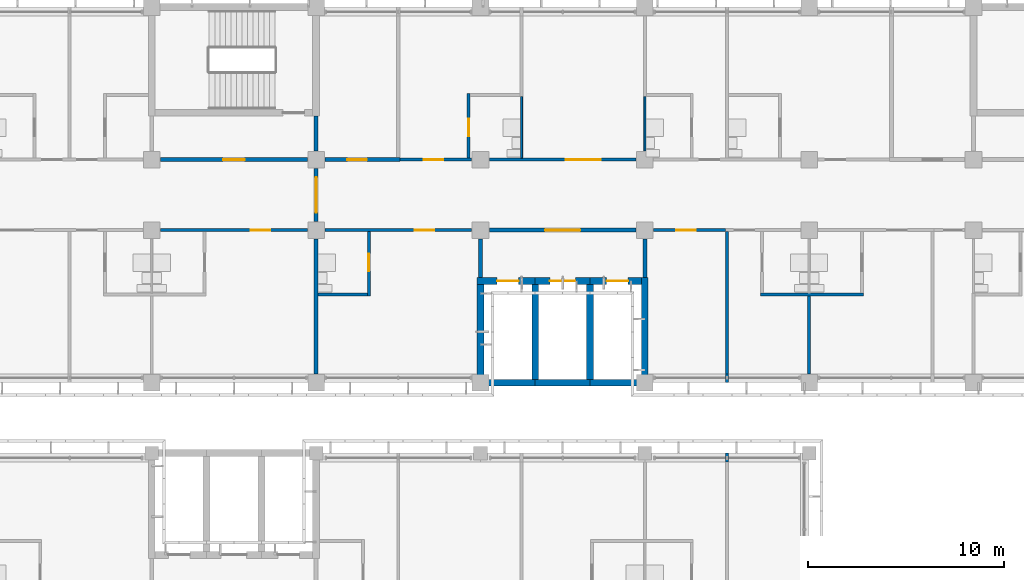
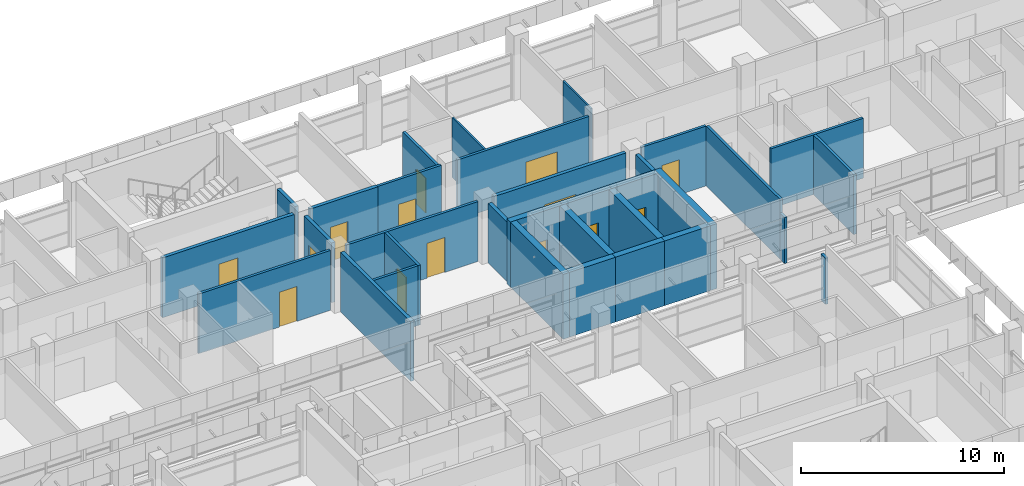
# One storey, part 39 of 74: 33 walls, 14 doors, 14 openings.
"""IFC4 building model written with IfcOpenShell, lengths in metres."""

from ifc_helpers import new_model, si_unit, direction, frame, frame_2d, origin, place, context, subcontext, project, spatial, rectangle, extrude, material, layer, layer_set, type_object, element, fill, save


model = new_model("IFC4")

# Units and contexts
model_context = context("Model", 3, precision=1e-05, world=origin(), true_north=direction((0.0, 1.0)))
body_context = subcontext(model_context, "Body", "Model", "MODEL_VIEW")
ifc_project = project(units=[si_unit("LENGTHUNIT", "METRE"), si_unit("AREAUNIT", "SQUARE_METRE"), si_unit("VOLUMEUNIT", "CUBIC_METRE"), si_unit("PLANEANGLEUNIT", "RADIAN"), si_unit("MASSUNIT", "GRAM", prefix="KILO")], contexts=[model_context])

# Site, building, storey
site_placement = place(None, origin())
site = spatial("IfcSite", under=ifc_project, at=site_placement, CompositionType="ELEMENT")
building_placement = place(site_placement, origin())
building = spatial("IfcBuilding", under=site, at=building_placement, Name="Bougainvillea Quay General Hospital", CompositionType="ELEMENT")
storey_placement = place(building_placement, frame((0.0, 0.0, 21.0)))
storey = spatial("IfcBuildingStorey", under=building, at=storey_placement, Name="L04", CompositionType="ELEMENT", Elevation=21.0)

# Walls
ifc_material_1 = material(Name="Gypsum board partition on steel studs", Category="steel")
ifc_layer_1 = layer(ifc_material_1, 0.10009765625)
ifc_layer_set_1 = layer_set([ifc_layer_1], Name="Gypsum board partition on steel studs")
wall_type_1 = type_object("IfcWallType", Name="Partition 100 Gypsum board partition", PredefinedType="PARTITIONING", material=ifc_layer_set_1)
wall_1_placement = place(storey_placement, frame((153.300048828125, 151.875, 0.0), z_axis=(0.0, 0.0, 1.0), x_axis=(0.0, 1.0, 0.0)))
element("IfcWall", 1, at=wall_1_placement, inside=storey, type_object=wall_type_1, Name="Partition 100 mm", PredefinedType="PARTITIONING", context=body_context, shape_type="SweptSolid", body=[
    extrude(rectangle(XDim=3.14990234375, YDim=0.10009765625, at=frame_2d((1.574951171875, 0.0))), origin(), (0.0, 0.0, 1.0), 3.60009765625),
])
wall_2_placement = place(storey_placement, frame((159.60009765625, 152.25, 0.0), z_axis=(0.0, 0.0, 1.0), x_axis=(0.0, 1.0, 0.0)))
element("IfcWall", 2, at=wall_2_placement, inside=storey, type_object=wall_type_1, Name="Partition 100 mm", PredefinedType="PARTITIONING", context=body_context, shape_type="SweptSolid", body=[
    extrude(rectangle(XDim=2.77490234375, YDim=0.10009765625, at=frame_2d((1.387451171875, 0.0))), origin(), (0.0, 0.0, 1.0), 3.60009765625),
])
ifc_material_2 = material(Name="Gypsum board partition on steel studs, insulated", Category="steel")
ifc_layer_2 = layer(ifc_material_2, 0.14990234375)
ifc_layer_set_2 = layer_set([ifc_layer_2], Name="Gypsum board partition on steel studs, insulated")
wall_type_2 = type_object("IfcWallType", Name="Partition 150 Gypsum board partition", PredefinedType="PARTITIONING", material=ifc_layer_set_2)
wall_3_placement = place(storey_placement, frame((163.800048828125, 136.35009765625, 0.0), z_axis=(0.0, 0.0, 1.0), x_axis=(0.0, 1.0, 0.0)))
element("IfcWall", 3, at=wall_3_placement, inside=storey, type_object=wall_type_2, Name="Partition 150 mm", PredefinedType="PARTITIONING", context=body_context, shape_type="SweptSolid", body=[
    extrude(rectangle(XDim=0.449951171875, YDim=0.14990234375, at=frame_2d((0.22509765625, 0.0))), origin(), (0.0, 0.0, 1.0), 2.780029296875),
])
wall_4_placement = place(storey_placement, frame((163.800048828125, 140.39990234375, 0.0), z_axis=(0.0, 0.0, 1.0), x_axis=(0.0, 1.0, 0.0)))
element("IfcWall", 4, at=wall_4_placement, inside=storey, type_object=wall_type_2, Name="Partition 150 mm", PredefinedType="PARTITIONING", context=body_context, shape_type="SweptSolid", body=[
    extrude(rectangle(XDim=0.4501953125, YDim=0.14990234375, at=frame_2d((0.22509765625, 0.0))), origin(), (0.0, 0.0, 1.0), 2.780029296875),
])
wall_5_placement = place(storey_placement, frame((163.800048828125, 140.85009765625, 0.0), z_axis=(0.0, 0.0, 1.0), x_axis=(0.0, 1.0, 0.0)))
element("IfcWall", 5, at=wall_5_placement, inside=storey, type_object=wall_type_2, Name="Partition 150 mm", PredefinedType="PARTITIONING", context=body_context, shape_type="SweptSolid", body=[
    extrude(rectangle(XDim=7.27490234375, YDim=0.14990234375, at=frame_2d((3.637451171875, 0.0))), origin(), (0.0, 0.0, 1.0), 3.60009765625),
])
wall_6_placement = place(storey_placement, frame((165.52490234375, 144.89990234375, 0.0), z_axis=(0.0, 0.0, 1.0), x_axis=(1.0, 0.0, 0.0)))
element("IfcWall", 6, at=wall_6_placement, inside=storey, type_object=wall_type_2, Name="Partition 150 mm", PredefinedType="PARTITIONING", context=body_context, shape_type="SweptSolid", body=[
    extrude(rectangle(XDim=5.25, YDim=0.14990234375, at=frame_2d((2.625, 0.0))), origin(), (0.0, 0.0, 1.0), 3.60009765625),
])
wall_7_placement = place(storey_placement, frame((168.0, 140.85009765625, 0.0), z_axis=(0.0, 0.0, 1.0), x_axis=(0.0, 1.0, 0.0)))
element("IfcWall", 7, at=wall_7_placement, inside=storey, type_object=wall_type_2, Name="Partition 150 mm", PredefinedType="PARTITIONING", context=body_context, shape_type="SweptSolid", body=[
    extrude(rectangle(XDim=3.974853515625, YDim=0.14990234375, at=frame_2d((1.9873046875, 0.0))), origin(), (0.0, 0.0, 1.0), 3.60009765625),
])

# Wall, opening, door
wall_8_placement = place(storey_placement, frame((145.5, 144.824951171875, 0.0), z_axis=(0.0, 0.0, 1.0), x_axis=(0.0, 1.0, 0.0)))
wall_8 = element("IfcWall", 8, at=wall_8_placement, inside=storey, type_object=wall_type_2, Name="Partition 150 mm", PredefinedType="PARTITIONING", context=body_context, shape_type="SweptSolid", body=[
    extrude(rectangle(XDim=3.300048828125, YDim=0.14990234375, at=frame_2d((1.64990234375, 0.0))), origin(), (0.0, 0.0, 1.0), 3.60009765625),
])
opening_1_placement = place(wall_8_placement, frame((1.27490234375, 0.0, 0.0)))
opening_1 = element("IfcOpeningElement", 9, at=opening_1_placement, cuts=wall_8, Name="Opening L04.050", PredefinedType="OPENING", context=body_context, shape_type="SweptSolid", body=[
    extrude(rectangle(XDim=0.89990234375, YDim=2.10009765625, at=frame_2d((0.449951171875, 1.050048828125))), frame((0.0, 0.0849609375, 0.0), z_axis=(0.0, -1.0, 0.0), x_axis=(1.0, 0.0, 0.0)), (0.0, 0.0, 1.0), 0.169921875),
])
ifc_material_3 = material(Name="Solid-core timber door leaf in steel frame", Category="steel")
door_type_1 = type_object("IfcDoorType", Name="Single leaf door 900x2100", OperationType="NOTDEFINED", PredefinedType="DOOR", material=ifc_material_3)
door_1_placement = place(opening_1_placement, origin())
door_1 = element("IfcDoor", 10, at=door_1_placement, inside=storey, type_object=door_type_1, Name="DT07 L04.050", OperationType="SINGLE_SWING_RIGHT", OverallHeight=2.10009765625, OverallWidth=0.89990234375, PredefinedType="DOOR", context=body_context, shape_type="SweptSolid", body=[
    extrude(rectangle(XDim=0.89990234375, YDim=2.10009765625, at=frame_2d((0.449951171875, 1.050048828125))), frame((0.0, 0.02490234375, 0.0), z_axis=(0.0, -1.0, 0.0), x_axis=(1.0, 0.0, 0.0)), (0.0, 0.0, 1.0), 0.050048828125),
])
fill(opening_1, door_1)

wall_9_placement = place(storey_placement, frame((150.60009765625, 151.875, 0.0), z_axis=(0.0, 0.0, 1.0), x_axis=(0.0, 1.0, 0.0)))
wall_9 = element("IfcWall", 11, at=wall_9_placement, inside=storey, type_object=wall_type_2, Name="Partition 150 mm", PredefinedType="PARTITIONING", context=body_context, shape_type="SweptSolid", body=[
    extrude(rectangle(XDim=3.300048828125, YDim=0.14990234375, at=frame_2d((1.64990234375, 0.0))), origin(), (0.0, 0.0, 1.0), 3.60009765625),
])
opening_2_placement = place(wall_9_placement, frame((1.125, 0.0, 0.0)))
opening_2 = element("IfcOpeningElement", 12, at=opening_2_placement, cuts=wall_9, Name="Opening L04.052", PredefinedType="OPENING", context=body_context, shape_type="SweptSolid", body=[
    extrude(rectangle(XDim=0.89990234375, YDim=2.10009765625, at=frame_2d((0.449951171875, 1.050048828125))), frame((0.0, 0.0849609375, 0.0), z_axis=(0.0, -1.0, 0.0), x_axis=(1.0, 0.0, 0.0)), (0.0, 0.0, 1.0), 0.169921875),
])
door_2_placement = place(opening_2_placement, frame((0.89990234375, 0.0, 0.0), z_axis=(0.0, 0.0, 1.0), x_axis=(-1.0, 0.0, 0.0)))
door_2 = element("IfcDoor", 13, at=door_2_placement, inside=storey, type_object=door_type_1, Name="DT07 L04.052", OperationType="SINGLE_SWING_RIGHT", OverallHeight=2.10009765625, OverallWidth=0.89990234375, PredefinedType="DOOR", context=body_context, shape_type="SweptSolid", body=[
    extrude(rectangle(XDim=0.89990234375, YDim=2.10009765625, at=frame_2d((0.449951171875, 1.050048828125))), frame((0.0, 0.02490234375, 0.0), z_axis=(0.0, -1.0, 0.0), x_axis=(1.0, 0.0, 0.0)), (0.0, 0.0, 1.0), 0.050048828125),
])
fill(opening_2, door_2)

# Wall
wall_10_placement = place(storey_placement, frame((142.89990234375, 144.89990234375, 0.0), z_axis=(0.0, 0.0, 1.0), x_axis=(1.0, 0.0, 0.0)))
element("IfcWall", 14, at=wall_10_placement, inside=storey, type_object=wall_type_2, Name="Partition 150 mm", PredefinedType="PARTITIONING", context=body_context, shape_type="SweptSolid", body=[
    extrude(rectangle(XDim=2.525146484375, YDim=0.14990234375, at=frame_2d((1.2626953125, 0.0))), origin(), (0.0, 0.0, 1.0), 3.60009765625),
])

# Wall, opening, door
ifc_layer_3 = layer(ifc_material_2, 0.14990234375)
ifc_layer_set_3 = layer_set([ifc_layer_3], Name="Gypsum board partition on steel studs, insulated")
wall_type_3 = type_object("IfcWallType", Name="Partition 150 Gypsum board partition EI 30", PredefinedType="PARTITIONING", material=ifc_layer_set_3)
wall_11_placement = place(storey_placement, frame((150.75, 148.199951171875, 0.0), z_axis=(0.0, 0.0, 1.0), x_axis=(-1.0, 0.0, 0.0)))
wall_11 = element("IfcWall", 15, at=wall_11_placement, inside=storey, type_object=wall_type_3, Name="Partition 150 mm EI 30", PredefinedType="PARTITIONING", context=body_context, shape_type="SweptSolid", body=[
    extrude(rectangle(XDim=7.5, YDim=0.14990234375, at=frame_2d((3.75, 0.0))), origin(), (0.0, 0.0, 1.0), 3.60009765625),
])
opening_3_placement = place(wall_11_placement, frame((1.89990234375, 0.0, 0.0)))
opening_3 = element("IfcOpeningElement", 16, at=opening_3_placement, cuts=wall_11, Name="Opening L04.049", PredefinedType="OPENING", context=body_context, shape_type="SweptSolid", body=[
    extrude(rectangle(XDim=1.0, YDim=2.10009765625, at=frame_2d((0.5, 1.050048828125))), frame((0.0, 0.0849609375, 0.0), z_axis=(0.0, -1.0, 0.0), x_axis=(1.0, 0.0, 0.0)), (0.0, 0.0, 1.0), 0.169921875),
])
door_type_2 = type_object("IfcDoorType", Name="Single leaf door 1000x2100 FD30S", OperationType="NOTDEFINED", PredefinedType="DOOR", material=ifc_material_3)
door_3_placement = place(opening_3_placement, origin())
door_3 = element("IfcDoor", 17, at=door_3_placement, inside=storey, type_object=door_type_2, Name="DT15 L04.049", OperationType="SINGLE_SWING_LEFT", OverallHeight=2.10009765625, OverallWidth=1.0, PredefinedType="DOOR", context=body_context, shape_type="SweptSolid", body=[
    extrude(rectangle(XDim=1.0, YDim=2.10009765625, at=frame_2d((0.5, 1.050048828125))), frame((0.0, 0.02490234375, 0.0), z_axis=(0.0, -1.0, 0.0), x_axis=(1.0, 0.0, 0.0)), (0.0, 0.0, 1.0), 0.050048828125),
])
fill(opening_3, door_3)

wall_12_placement = place(storey_placement, frame((142.35009765625, 148.199951171875, 0.0), z_axis=(0.0, 0.0, 1.0), x_axis=(-1.0, 0.0, 0.0)))
wall_12 = element("IfcWall", 18, at=wall_12_placement, inside=storey, type_object=wall_type_3, Name="Partition 150 mm EI 30", PredefinedType="PARTITIONING", context=body_context, shape_type="SweptSolid", body=[
    extrude(rectangle(XDim=7.5, YDim=0.14990234375, at=frame_2d((3.75, 0.0))), origin(), (0.0, 0.0, 1.0), 3.60009765625),
])
opening_4_placement = place(wall_12_placement, frame((1.89990234375, 0.0, 0.0)))
opening_4 = element("IfcOpeningElement", 19, at=opening_4_placement, cuts=wall_12, Name="Opening L04.037", PredefinedType="OPENING", context=body_context, shape_type="SweptSolid", body=[
    extrude(rectangle(XDim=1.0, YDim=2.10009765625, at=frame_2d((0.5, 1.050048828125))), frame((0.0, 0.0849609375, 0.0), z_axis=(0.0, -1.0, 0.0), x_axis=(1.0, 0.0, 0.0)), (0.0, 0.0, 1.0), 0.169921875),
])
door_4_placement = place(opening_4_placement, origin())
door_4 = element("IfcDoor", 20, at=door_4_placement, inside=storey, type_object=door_type_2, Name="DT15 L04.037", OperationType="SINGLE_SWING_LEFT", OverallHeight=2.10009765625, OverallWidth=1.0, PredefinedType="DOOR", context=body_context, shape_type="SweptSolid", body=[
    extrude(rectangle(XDim=1.0, YDim=2.10009765625, at=frame_2d((0.5, 1.050048828125))), frame((0.0, 0.02490234375, 0.0), z_axis=(0.0, -1.0, 0.0), x_axis=(1.0, 0.0, 0.0)), (0.0, 0.0, 1.0), 0.050048828125),
])
fill(opening_4, door_4)

wall_13_placement = place(storey_placement, frame((159.14990234375, 151.800048828125, 0.0), z_axis=(0.0, 0.0, 1.0), x_axis=(-1.0, 0.0, 0.0)))
wall_13 = element("IfcWall", 21, at=wall_13_placement, inside=storey, type_object=wall_type_3, Name="Partition 150 mm EI 30", PredefinedType="PARTITIONING", context=body_context, shape_type="SweptSolid", body=[
    extrude(rectangle(XDim=7.5, YDim=0.14990234375, at=frame_2d((3.75, 0.0))), origin(), (0.0, 0.0, 1.0), 3.60009765625),
])
opening_5_placement = place(wall_13_placement, frame((1.800048828125, 0.0, 0.0)))
opening_5 = element("IfcOpeningElement", 22, at=opening_5_placement, cuts=wall_13, Name="Opening L04.053", PredefinedType="OPENING", context=body_context, shape_type="SweptSolid", body=[
    extrude(rectangle(XDim=1.800048828125, YDim=2.10009765625, at=frame_2d((0.89990234375, 1.050048828125))), frame((0.0, 0.0849609375, 0.0), z_axis=(0.0, -1.0, 0.0), x_axis=(1.0, 0.0, 0.0)), (0.0, 0.0, 1.0), 0.169921875),
])
ifc_material_4 = material(Name="Solid-core timber door leaves in steel frame", Category="steel")
door_type_3 = type_object("IfcDoorType", Name="Double leaf door 1800x2100 FD30S", OperationType="DOUBLE_DOOR_SINGLE_SWING", PredefinedType="DOOR", material=ifc_material_4)
door_5_placement = place(opening_5_placement, frame((1.800048828125, 0.0, 0.0), z_axis=(0.0, 0.0, 1.0), x_axis=(-1.0, 0.0, 0.0)))
door_5 = element("IfcDoor", 23, at=door_5_placement, inside=storey, type_object=door_type_3, Name="DT17 L04.053", OperationType="DOUBLE_DOOR_SINGLE_SWING", OverallHeight=2.10009765625, OverallWidth=1.800048828125, PredefinedType="DOOR", context=body_context, shape_type="SweptSolid", body=[
    extrude(rectangle(XDim=1.800048828125, YDim=2.10009765625, at=frame_2d((0.89990234375, 1.050048828125))), frame((0.0, 0.02490234375, 0.0), z_axis=(0.0, -1.0, 0.0), x_axis=(1.0, 0.0, 0.0)), (0.0, 0.0, 1.0), 0.050048828125),
])
fill(opening_5, door_5)

wall_14_placement = place(storey_placement, frame((150.75, 151.800048828125, 0.0), z_axis=(0.0, 0.0, 1.0), x_axis=(-1.0, 0.0, 0.0)))
wall_14 = element("IfcWall", 24, at=wall_14_placement, inside=storey, type_object=wall_type_3, Name="Partition 150 mm EI 30", PredefinedType="PARTITIONING", context=body_context, shape_type="SweptSolid", body=[
    extrude(rectangle(XDim=3.64990234375, YDim=0.14990234375, at=frame_2d((1.824951171875, 0.0))), origin(), (0.0, 0.0, 1.0), 3.60009765625),
])
opening_6_placement = place(wall_14_placement, frame((1.449951171875, 0.0, 0.0)))
opening_6 = element("IfcOpeningElement", 25, at=opening_6_placement, cuts=wall_14, Name="Opening L04.051", PredefinedType="OPENING", context=body_context, shape_type="SweptSolid", body=[
    extrude(rectangle(XDim=1.0, YDim=2.10009765625, at=frame_2d((0.5, 1.050048828125))), frame((0.0, 0.0849609375, 0.0), z_axis=(0.0, -1.0, 0.0), x_axis=(1.0, 0.0, 0.0)), (0.0, 0.0, 1.0), 0.169921875),
])
door_6_placement = place(opening_6_placement, frame((1.0, 0.0, 0.0), z_axis=(0.0, 0.0, 1.0), x_axis=(-1.0, 0.0, 0.0)))
door_6 = element("IfcDoor", 26, at=door_6_placement, inside=storey, type_object=door_type_2, Name="DT15 L04.051", OperationType="SINGLE_SWING_LEFT", OverallHeight=2.10009765625, OverallWidth=1.0, PredefinedType="DOOR", context=body_context, shape_type="SweptSolid", body=[
    extrude(rectangle(XDim=1.0, YDim=2.10009765625, at=frame_2d((0.5, 1.050048828125))), frame((0.0, 0.02490234375, 0.0), z_axis=(0.0, -1.0, 0.0), x_axis=(1.0, 0.0, 0.0)), (0.0, 0.0, 1.0), 0.050048828125),
])
fill(opening_6, door_6)

ifc_layer_4 = layer(ifc_material_2, 0.14990234375)
ifc_layer_set_4 = layer_set([ifc_layer_4], Name="Gypsum board partition on steel studs, insulated")
wall_type_4 = type_object("IfcWallType", Name="Partition 150 Gypsum board partition EI 60", PredefinedType="PARTITIONING", material=ifc_layer_set_4)
wall_15_placement = place(storey_placement, frame((160.050048828125, 148.199951171875, 0.0), z_axis=(0.0, 0.0, 1.0), x_axis=(1.0, 0.0, 0.0)))
wall_15 = element("IfcWall", 27, at=wall_15_placement, inside=storey, type_object=wall_type_4, Name="Partition 150 mm EI 60", PredefinedType="PARTITIONING", context=body_context, shape_type="SweptSolid", body=[
    extrude(rectangle(XDim=3.675048828125, YDim=0.14990234375, at=frame_2d((1.83740234375, 0.0))), origin(), (0.0, 0.0, 1.0), 3.60009765625),
])
opening_7_placement = place(wall_15_placement, frame((1.14990234375, 0.0, 0.0)))
opening_7 = element("IfcOpeningElement", 28, at=opening_7_placement, cuts=wall_15, Name="Opening L04.058", PredefinedType="OPENING", context=body_context, shape_type="SweptSolid", body=[
    extrude(rectangle(XDim=1.0, YDim=2.10009765625, at=frame_2d((0.5, 1.050048828125))), frame((0.0, 0.0849609375, 0.0), z_axis=(0.0, -1.0, 0.0), x_axis=(1.0, 0.0, 0.0)), (0.0, 0.0, 1.0), 0.169921875),
])
door_type_4 = type_object("IfcDoorType", Name="Single leaf door 1000x2100 FD60", OperationType="NOTDEFINED", PredefinedType="DOOR", material=ifc_material_3)
door_7_placement = place(opening_7_placement, frame((1.0, 0.0, 0.0), z_axis=(0.0, 0.0, 1.0), x_axis=(-1.0, 0.0, 0.0)))
door_7 = element("IfcDoor", 29, at=door_7_placement, inside=storey, type_object=door_type_4, Name="DT14 L04.058", OperationType="SINGLE_SWING_RIGHT", OverallHeight=2.10009765625, OverallWidth=1.0, PredefinedType="DOOR", context=body_context, shape_type="SweptSolid", body=[
    extrude(rectangle(XDim=1.0, YDim=2.10009765625, at=frame_2d((0.5, 1.050048828125))), frame((0.0, 0.02490234375, 0.0), z_axis=(0.0, -1.0, 0.0), x_axis=(1.0, 0.0, 0.0)), (0.0, 0.0, 1.0), 0.050048828125),
])
fill(opening_7, door_7)

# Wall
ifc_material_5 = material(Name="Fire-rated autoclaved aerated block wall, plastered")
ifc_layer_5 = layer(ifc_material_5, 0.199951171875)
ifc_layer_set_5 = layer_set([ifc_layer_5], Name="Fire-rated autoclaved aerated block wall, plastered")
wall_type_5 = type_object("IfcWallType", Name="Partition 200 Fire-rated autoclaved aerated block wall EI 120", PredefinedType="SOLIDWALL", material=ifc_layer_set_5)
wall_16_placement = place(storey_placement, frame((142.800048828125, 154.02490234375, 0.0), z_axis=(0.0, 0.0, 1.0), x_axis=(0.0, -1.0, 0.0)))
element("IfcWall", 30, at=wall_16_placement, inside=storey, type_object=wall_type_5, Name="Partition 200 mm EI 120", PredefinedType="SOLIDWALL", context=body_context, shape_type="SweptSolid", body=[
    extrude(rectangle(XDim=1.77490234375, YDim=0.199951171875, at=frame_2d((0.887451171875, 0.0))), origin(), (0.0, 0.0, 1.0), 3.60009765625),
])

# Wall, opening, door
wall_17_placement = place(storey_placement, frame((142.800048828125, 151.35009765625, 0.0), z_axis=(0.0, 0.0, 1.0), x_axis=(0.0, -1.0, 0.0)))
wall_17 = element("IfcWall", 31, at=wall_17_placement, inside=storey, type_object=wall_type_5, Name="Partition 200 mm EI 120", PredefinedType="SOLIDWALL", context=body_context, shape_type="SweptSolid", body=[
    extrude(rectangle(XDim=2.7001953125, YDim=0.199951171875, at=frame_2d((1.35009765625, 0.0))), origin(), (0.0, 0.0, 1.0), 3.60009765625),
])
opening_8_placement = place(wall_17_placement, frame((0.449951171875, 0.0, 0.0)))
opening_8 = element("IfcOpeningElement", 32, at=opening_8_placement, cuts=wall_17, Name="Opening L04.003", PredefinedType="OPENING", context=body_context, shape_type="SweptSolid", body=[
    extrude(rectangle(XDim=1.800048828125, YDim=2.10009765625, at=frame_2d((0.89990234375, 1.050048828125))), frame((0.0, 0.10986328125, 0.0), z_axis=(0.0, -1.0, 0.0), x_axis=(1.0, 0.0, 0.0)), (0.0, 0.0, 1.0), 0.219970703125),
])
ifc_material_6 = material(Name="Steel fire door leaves in steel frame", Category="steel")
door_type_5 = type_object("IfcDoorType", Name="Steel double leaf door 1800x2100 FD90", OperationType="DOUBLE_DOOR_SINGLE_SWING", PredefinedType="DOOR", material=ifc_material_6)
door_8_placement = place(opening_8_placement, origin())
door_8 = element("IfcDoor", 33, at=door_8_placement, inside=storey, type_object=door_type_5, Name="DT03 L04.003", OperationType="DOUBLE_DOOR_SINGLE_SWING", OverallHeight=2.10009765625, OverallWidth=1.800048828125, PredefinedType="DOOR", context=body_context, shape_type="SweptSolid", body=[
    extrude(rectangle(XDim=1.800048828125, YDim=2.10009765625, at=frame_2d((0.89990234375, 1.050048828125))), frame((0.0, 0.02490234375, 0.0), z_axis=(0.0, -1.0, 0.0), x_axis=(1.0, 0.0, 0.0)), (0.0, 0.0, 1.0), 0.050048828125),
])
fill(opening_8, door_8)

# Wall
wall_18_placement = place(storey_placement, frame((142.800048828125, 147.75, 0.0), z_axis=(0.0, 0.0, 1.0), x_axis=(0.0, -1.0, 0.0)))
element("IfcWall", 34, at=wall_18_placement, inside=storey, type_object=wall_type_5, Name="Partition 200 mm EI 120", PredefinedType="SOLIDWALL", context=body_context, shape_type="SweptSolid", body=[
    extrude(rectangle(XDim=6.89990234375, YDim=0.199951171875, at=frame_2d((3.449951171875, 0.0))), origin(), (0.0, 0.0, 1.0), 3.60009765625),
])

# Wall, opening, door
wall_19_placement = place(storey_placement, frame((134.85009765625, 151.800048828125, 0.0), z_axis=(0.0, 0.0, 1.0), x_axis=(1.0, 0.0, 0.0)))
wall_19 = element("IfcWall", 35, at=wall_19_placement, inside=storey, type_object=wall_type_5, Name="Partition 200 mm EI 120", PredefinedType="SOLIDWALL", context=body_context, shape_type="SweptSolid", body=[
    extrude(rectangle(XDim=7.5, YDim=0.199951171875, at=frame_2d((3.75, 0.0))), origin(), (0.0, 0.0, 1.0), 3.60009765625),
])
opening_9_placement = place(wall_19_placement, frame((3.199951171875, 0.0, 0.0)))
opening_9 = element("IfcOpeningElement", 36, at=opening_9_placement, cuts=wall_19, Name="Opening L04.146", PredefinedType="OPENING", context=body_context, shape_type="SweptSolid", body=[
    extrude(rectangle(XDim=1.10009765625, YDim=2.10009765625, at=frame_2d((0.550048828125, 1.050048828125))), frame((0.0, 0.10986328125, 0.0), z_axis=(0.0, -1.0, 0.0), x_axis=(1.0, 0.0, 0.0)), (0.0, 0.0, 1.0), 0.219970703125),
])
ifc_material_7 = material(Name="Steel fire door leaf in steel frame", Category="steel")
door_type_6 = type_object("IfcDoorType", Name="Steel single leaf door 1100x2100 FD60", OperationType="NOTDEFINED", PredefinedType="DOOR", material=ifc_material_7)
door_9_placement = place(opening_9_placement, origin())
door_9 = element("IfcDoor", 37, at=door_9_placement, inside=storey, type_object=door_type_6, Name="DT04 L04.146", OperationType="SINGLE_SWING_RIGHT", OverallHeight=2.10009765625, OverallWidth=1.10009765625, PredefinedType="DOOR", context=body_context, shape_type="SweptSolid", body=[
    extrude(rectangle(XDim=1.10009765625, YDim=2.10009765625, at=frame_2d((0.550048828125, 1.050048828125))), frame((0.0, 0.02490234375, 0.0), z_axis=(0.0, -1.0, 0.0), x_axis=(1.0, 0.0, 0.0)), (0.0, 0.0, 1.0), 0.050048828125),
])
fill(opening_9, door_9)

wall_20_placement = place(storey_placement, frame((143.25, 151.800048828125, 0.0), z_axis=(0.0, 0.0, 1.0), x_axis=(1.0, 0.0, 0.0)))
wall_20 = element("IfcWall", 38, at=wall_20_placement, inside=storey, type_object=wall_type_5, Name="Partition 200 mm EI 120", PredefinedType="SOLIDWALL", context=body_context, shape_type="SweptSolid", body=[
    extrude(rectangle(XDim=3.85009765625, YDim=0.199951171875, at=frame_2d((1.925048828125, 0.0))), origin(), (0.0, 0.0, 1.0), 3.60009765625),
])
opening_10_placement = place(wall_20_placement, frame((1.14990234375, 0.0, 0.0)))
opening_10 = element("IfcOpeningElement", 39, at=opening_10_placement, cuts=wall_20, Name="Opening L04.071", PredefinedType="OPENING", context=body_context, shape_type="SweptSolid", body=[
    extrude(rectangle(XDim=1.0, YDim=2.10009765625, at=frame_2d((0.5, 1.050048828125))), frame((0.0, 0.10986328125, 0.0), z_axis=(0.0, -1.0, 0.0), x_axis=(1.0, 0.0, 0.0)), (0.0, 0.0, 1.0), 0.219970703125),
])
door_type_7 = type_object("IfcDoorType", Name="Steel single leaf door 1000x2100 FD90", OperationType="NOTDEFINED", PredefinedType="DOOR", material=ifc_material_7)
door_10_placement = place(opening_10_placement, origin())
door_10 = element("IfcDoor", 40, at=door_10_placement, inside=storey, type_object=door_type_7, Name="DT11 L04.071", OperationType="SINGLE_SWING_LEFT", OverallHeight=2.10009765625, OverallWidth=1.0, PredefinedType="DOOR", context=body_context, shape_type="SweptSolid", body=[
    extrude(rectangle(XDim=1.0, YDim=2.10009765625, at=frame_2d((0.5, 1.050048828125))), frame((0.0, 0.02490234375, 0.0), z_axis=(0.0, -1.0, 0.0), x_axis=(1.0, 0.0, 0.0)), (0.0, 0.0, 1.0), 0.050048828125),
])
fill(opening_10, door_10)

wall_21_placement = place(storey_placement, frame((151.64990234375, 148.199951171875, 0.0), z_axis=(0.0, 0.0, 1.0), x_axis=(1.0, 0.0, 0.0)))
wall_21 = element("IfcWall", 41, at=wall_21_placement, inside=storey, type_object=wall_type_5, Name="Partition 200 mm EI 120", PredefinedType="SOLIDWALL", context=body_context, shape_type="SweptSolid", body=[
    extrude(rectangle(XDim=7.5, YDim=0.199951171875, at=frame_2d((3.75, 0.0))), origin(), (0.0, 0.0, 1.0), 3.60009765625),
])
opening_11_placement = place(wall_21_placement, frame((2.85009765625, 0.0, 0.0)))
opening_11 = element("IfcOpeningElement", 42, at=opening_11_placement, cuts=wall_21, Name="Opening L04.074", PredefinedType="OPENING", context=body_context, shape_type="SweptSolid", body=[
    extrude(rectangle(XDim=1.800048828125, YDim=2.10009765625, at=frame_2d((0.89990234375, 1.050048828125))), frame((0.0, 0.10986328125, 0.0), z_axis=(0.0, -1.0, 0.0), x_axis=(1.0, 0.0, 0.0)), (0.0, 0.0, 1.0), 0.219970703125),
])
door_type_8 = type_object("IfcDoorType", Name="Steel double leaf door 1800x2100 FD60", OperationType="DOUBLE_DOOR_SINGLE_SWING", PredefinedType="DOOR", material=ifc_material_6)
door_11_placement = place(opening_11_placement, frame((1.800048828125, 0.0, 0.0), z_axis=(0.0, 0.0, 1.0), x_axis=(-1.0, 0.0, 0.0)))
door_11 = element("IfcDoor", 43, at=door_11_placement, inside=storey, type_object=door_type_8, Name="DT05 L04.074", OperationType="DOUBLE_DOOR_SINGLE_SWING", OverallHeight=2.10009765625, OverallWidth=1.800048828125, PredefinedType="DOOR", context=body_context, shape_type="SweptSolid", body=[
    extrude(rectangle(XDim=1.800048828125, YDim=2.10009765625, at=frame_2d((0.89990234375, 1.050048828125))), frame((0.0, 0.02490234375, 0.0), z_axis=(0.0, -1.0, 0.0), x_axis=(1.0, 0.0, 0.0)), (0.0, 0.0, 1.0), 0.050048828125),
])
fill(opening_11, door_11)

# Walls
for number, where, z_axis, x_axis, name in (
    (44, (151.199951171875, 145.77490234375, 0.0), (0.0, 0.0, 1.0), (0.0, 1.0, 0.0), "Partition 200 mm EI 120"),
    (45, (159.60009765625, 145.77490234375, 0.0), (0.0, 0.0, 1.0), (0.0, 1.0, 0.0), "Partition 200 mm EI 120"),
):
    element("IfcWall", number, at=place(storey_placement, frame(where, z_axis=z_axis, x_axis=x_axis)), inside=storey, type_object=wall_type_5, Name=name, PredefinedType="SOLIDWALL", context=body_context, shape_type="SweptSolid", body=[
        extrude(rectangle(XDim=1.97509765625, YDim=0.199951171875, at=frame_2d((0.987548828125, 0.0))), origin(), (0.0, 0.0, 1.0), 3.60009765625),
    ])

# Wall, opening, door
ifc_material_8 = material(Name="Concrete C40", Category="concrete")
ifc_layer_6 = layer(ifc_material_8, 0.35009765625)
ifc_layer_set_6 = layer_set([ifc_layer_6], Name="Concrete C40")
wall_type_6 = type_object("IfcWallType", Name="RC SHEAR WALL 350 C40", PredefinedType="SHEAR", material=ifc_layer_set_6)
wall_22_placement = place(storey_placement, frame((151.02490234375, 145.60009765625, 0.0), z_axis=(0.0, 0.0, 1.0), x_axis=(1.0, 0.0, 0.0)))
wall_22 = element("IfcWall", 46, at=wall_22_placement, inside=storey, type_object=wall_type_6, Name="Shear wall L04", PredefinedType="SHEAR", context=body_context, shape_type="SweptSolid", body=[
    extrude(rectangle(XDim=2.97509765625, YDim=0.35009765625, at=frame_2d((1.487548828125, 0.0))), origin(), (0.0, 0.0, 1.0), 3.89990234375),
])
opening_12_placement = place(wall_22_placement, frame((1.02490234375, 0.0, 0.0)))
opening_12 = element("IfcOpeningElement", 47, at=opening_12_placement, cuts=wall_22, Name="Opening LD-A2.1-L04", PredefinedType="OPENING", context=body_context, shape_type="SweptSolid", body=[
    extrude(rectangle(XDim=1.10009765625, YDim=2.10009765625, at=frame_2d((0.550048828125, 1.050048828125))), frame((0.0, 0.18505859375, 0.0), z_axis=(0.0, -1.0, 0.0), x_axis=(1.0, 0.0, 0.0)), (0.0, 0.0, 1.0), 0.3701171875),
])
ifc_material_9 = material(Name="Stainless steel centre-opening landing door", Category="steel")
door_type_9 = type_object("IfcDoorType", Name="Lift landing door 1100x2100 E 120", OperationType="DOUBLE_DOOR_SLIDING", PredefinedType="DOOR", material=ifc_material_9)
door_12_placement = place(opening_12_placement, origin())
door_12 = element("IfcDoor", 48, at=door_12_placement, inside=storey, type_object=door_type_9, Name="Lift landing door LB-A2-1 L04", OperationType="DOUBLE_DOOR_SLIDING", OverallHeight=2.10009765625, OverallWidth=1.10009765625, PredefinedType="DOOR", context=body_context, shape_type="SweptSolid", body=[
    extrude(rectangle(XDim=1.10009765625, YDim=2.10009765625, at=frame_2d((0.550048828125, 1.050048828125))), frame((0.0, 0.02490234375, 0.0), z_axis=(0.0, -1.0, 0.0), x_axis=(1.0, 0.0, 0.0)), (0.0, 0.0, 1.0), 0.050048828125),
])
fill(opening_12, door_12)

# Walls
wall_23_placement = place(storey_placement, frame((151.199951171875, 140.22509765625, 0.0), z_axis=(0.0, 0.0, 1.0), x_axis=(0.0, 1.0, 0.0)))
element("IfcWall", 49, at=wall_23_placement, inside=storey, type_object=wall_type_6, Name="Shear wall L04", PredefinedType="SHEAR", context=body_context, shape_type="SweptSolid", body=[
    extrude(rectangle(XDim=5.199951171875, YDim=0.35009765625, at=frame_2d((2.60009765625, 0.0))), origin(), (0.0, 0.0, 1.0), 3.89990234375),
])
wall_24_placement = place(storey_placement, frame((151.375, 140.39990234375, 0.0), z_axis=(0.0, 0.0, 1.0), x_axis=(1.0, 0.0, 0.0)))
element("IfcWall", 50, at=wall_24_placement, inside=storey, type_object=wall_type_6, Name="Shear wall L04", PredefinedType="SHEAR", context=body_context, shape_type="SweptSolid", body=[
    extrude(rectangle(XDim=2.625, YDim=0.35009765625, at=frame_2d((1.3125, 0.0))), origin(), (0.0, 0.0, 1.0), 3.89990234375),
])
wall_25_placement = place(storey_placement, frame((154.0, 140.39990234375, 0.0), z_axis=(0.0, 0.0, 1.0), x_axis=(1.0, 0.0, 0.0)))
element("IfcWall", 51, at=wall_25_placement, inside=storey, type_object=wall_type_6, Name="Shear wall L04", PredefinedType="SHEAR", context=body_context, shape_type="SweptSolid", body=[
    extrude(rectangle(XDim=2.800048828125, YDim=0.35009765625, at=frame_2d((1.39990234375, 0.0))), origin(), (0.0, 0.0, 1.0), 3.89990234375),
])
wall_26_placement = place(storey_placement, frame((154.0, 140.574951171875, 0.0), z_axis=(0.0, 0.0, 1.0), x_axis=(0.0, 1.0, 0.0)))
element("IfcWall", 52, at=wall_26_placement, inside=storey, type_object=wall_type_6, Name="Shear wall L04", PredefinedType="SHEAR", context=body_context, shape_type="SweptSolid", body=[
    extrude(rectangle(XDim=4.85009765625, YDim=0.35009765625, at=frame_2d((2.425048828125, 0.0))), origin(), (0.0, 0.0, 1.0), 3.89990234375),
])

# Wall, opening, door
wall_27_placement = place(storey_placement, frame((154.0, 145.60009765625, 0.0), z_axis=(0.0, 0.0, 1.0), x_axis=(1.0, 0.0, 0.0)))
wall_27 = element("IfcWall", 53, at=wall_27_placement, inside=storey, type_object=wall_type_6, Name="Shear wall L04", PredefinedType="SHEAR", context=body_context, shape_type="SweptSolid", body=[
    extrude(rectangle(XDim=2.800048828125, YDim=0.35009765625, at=frame_2d((1.39990234375, 0.0))), origin(), (0.0, 0.0, 1.0), 3.89990234375),
])
opening_13_placement = place(wall_27_placement, frame((0.75, 0.0, 0.0)))
opening_13 = element("IfcOpeningElement", 54, at=opening_13_placement, cuts=wall_27, Name="Opening LD-A2.2-L04", PredefinedType="OPENING", context=body_context, shape_type="SweptSolid", body=[
    extrude(rectangle(XDim=1.300048828125, YDim=2.10009765625, at=frame_2d((0.64990234375, 1.050048828125))), frame((0.0, 0.18505859375, 0.0), z_axis=(0.0, -1.0, 0.0), x_axis=(1.0, 0.0, 0.0)), (0.0, 0.0, 1.0), 0.3701171875),
])
door_type_10 = type_object("IfcDoorType", Name="Lift landing door 1300x2100 E 120", OperationType="DOUBLE_DOOR_SLIDING", PredefinedType="DOOR", material=ifc_material_9)
door_13_placement = place(opening_13_placement, origin())
door_13 = element("IfcDoor", 55, at=door_13_placement, inside=storey, type_object=door_type_10, Name="Lift landing door LB-A2-2 L04", OperationType="DOUBLE_DOOR_SLIDING", OverallHeight=2.10009765625, OverallWidth=1.300048828125, PredefinedType="DOOR", context=body_context, shape_type="SweptSolid", body=[
    extrude(rectangle(XDim=1.300048828125, YDim=2.10009765625, at=frame_2d((0.64990234375, 1.050048828125))), frame((0.0, 0.02490234375, 0.0), z_axis=(0.0, -1.0, 0.0), x_axis=(1.0, 0.0, 0.0)), (0.0, 0.0, 1.0), 0.050048828125),
])
fill(opening_13, door_13)

# Walls
wall_28_placement = place(storey_placement, frame((156.800048828125, 140.39990234375, 0.0), z_axis=(0.0, 0.0, 1.0), x_axis=(1.0, 0.0, 0.0)))
element("IfcWall", 56, at=wall_28_placement, inside=storey, type_object=wall_type_6, Name="Shear wall L04", PredefinedType="SHEAR", context=body_context, shape_type="SweptSolid", body=[
    extrude(rectangle(XDim=2.625, YDim=0.35009765625, at=frame_2d((1.3125, 0.0))), origin(), (0.0, 0.0, 1.0), 3.89990234375),
])
wall_29_placement = place(storey_placement, frame((156.800048828125, 140.574951171875, 0.0), z_axis=(0.0, 0.0, 1.0), x_axis=(0.0, 1.0, 0.0)))
element("IfcWall", 57, at=wall_29_placement, inside=storey, type_object=wall_type_6, Name="Shear wall L04", PredefinedType="SHEAR", context=body_context, shape_type="SweptSolid", body=[
    extrude(rectangle(XDim=4.85009765625, YDim=0.35009765625, at=frame_2d((2.425048828125, 0.0))), origin(), (0.0, 0.0, 1.0), 3.89990234375),
])

# Wall, opening, door
wall_30_placement = place(storey_placement, frame((156.800048828125, 145.60009765625, 0.0), z_axis=(0.0, 0.0, 1.0), x_axis=(1.0, 0.0, 0.0)))
wall_30 = element("IfcWall", 58, at=wall_30_placement, inside=storey, type_object=wall_type_6, Name="Shear wall L04", PredefinedType="SHEAR", context=body_context, shape_type="SweptSolid", body=[
    extrude(rectangle(XDim=2.625, YDim=0.35009765625, at=frame_2d((1.3125, 0.0))), origin(), (0.0, 0.0, 1.0), 3.89990234375),
])
opening_14_placement = place(wall_30_placement, frame((0.85009765625, 0.0, 0.0)))
opening_14 = element("IfcOpeningElement", 59, at=opening_14_placement, cuts=wall_30, Name="Opening LD-A2.3-L04", PredefinedType="OPENING", context=body_context, shape_type="SweptSolid", body=[
    extrude(rectangle(XDim=1.10009765625, YDim=2.10009765625, at=frame_2d((0.550048828125, 1.050048828125))), frame((0.0, 0.18505859375, 0.0), z_axis=(0.0, -1.0, 0.0), x_axis=(1.0, 0.0, 0.0)), (0.0, 0.0, 1.0), 0.3701171875),
])
door_14_placement = place(opening_14_placement, origin())
door_14 = element("IfcDoor", 60, at=door_14_placement, inside=storey, type_object=door_type_9, Name="Lift landing door LB-A2-3 L04", OperationType="DOUBLE_DOOR_SLIDING", OverallHeight=2.10009765625, OverallWidth=1.10009765625, PredefinedType="DOOR", context=body_context, shape_type="SweptSolid", body=[
    extrude(rectangle(XDim=1.10009765625, YDim=2.10009765625, at=frame_2d((0.550048828125, 1.050048828125))), frame((0.0, 0.02490234375, 0.0), z_axis=(0.0, -1.0, 0.0), x_axis=(1.0, 0.0, 0.0)), (0.0, 0.0, 1.0), 0.050048828125),
])
fill(opening_14, door_14)

# Wall
wall_31_placement = place(storey_placement, frame((159.60009765625, 140.22509765625, 0.0), z_axis=(0.0, 0.0, 1.0), x_axis=(0.0, 1.0, 0.0)))
element("IfcWall", 61, at=wall_31_placement, inside=storey, type_object=wall_type_6, Name="Shear wall L04", PredefinedType="SHEAR", context=body_context, shape_type="SweptSolid", body=[
    extrude(rectangle(XDim=5.5498046875, YDim=0.35009765625, at=frame_2d((2.77490234375, 0.0))), origin(), (0.0, 0.0, 1.0), 3.89990234375),
])

save(model, "model.ifc")
